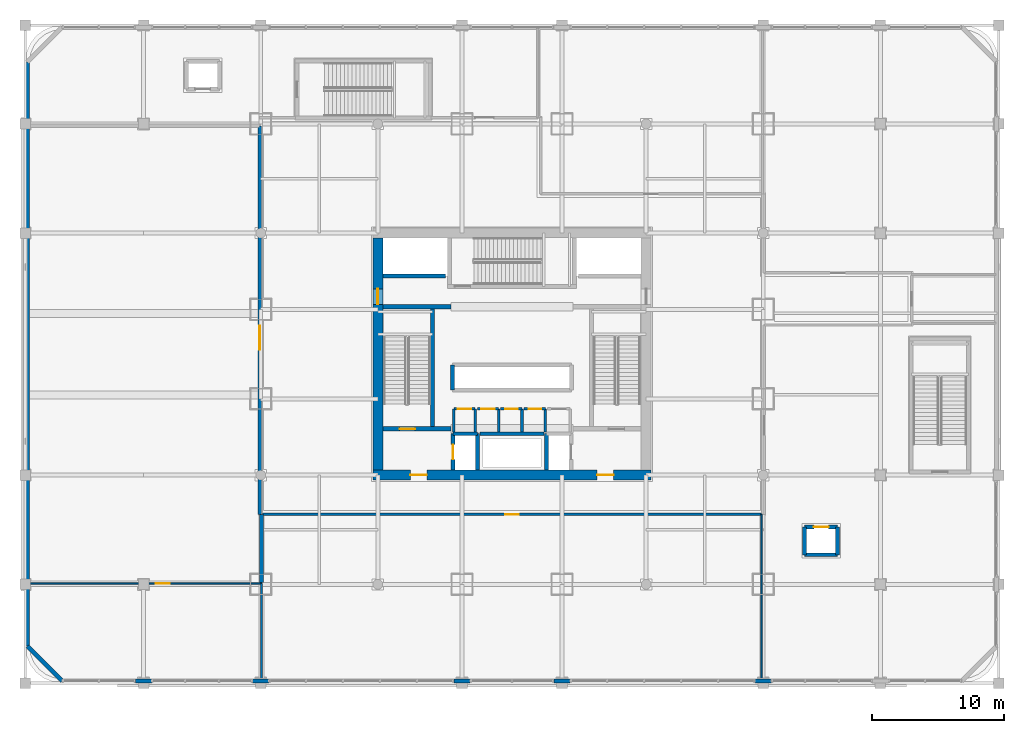
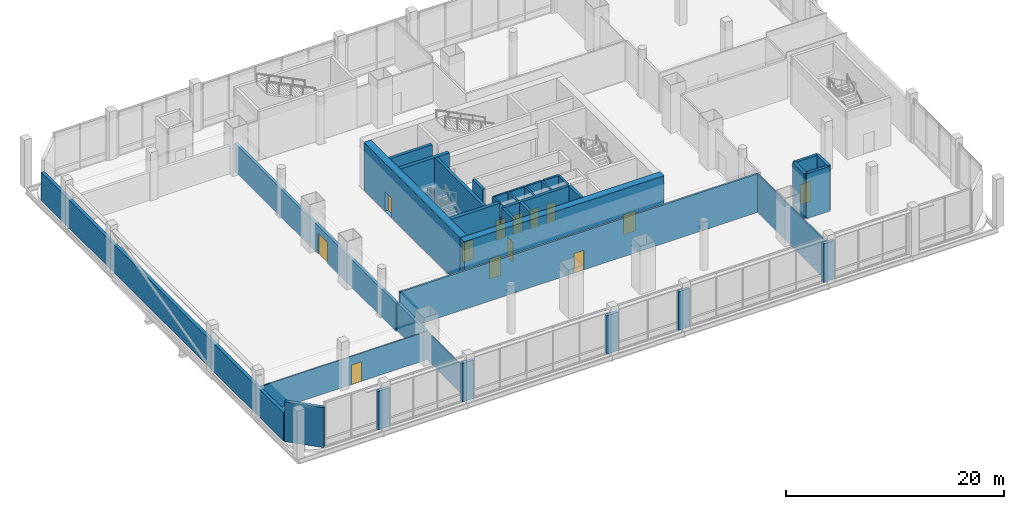
# One storey, part 23 of 35: 38 walls, 13 doors, 13 openings.
"""IFC4 building model written with IfcOpenShell, lengths in metres."""

from ifc_helpers import new_model, si_unit, direction, frame, frame_2d, origin, place, context, subcontext, project, spatial, rectangle, extrude, material, layer, layer_set, type_object, element, fill, save


model = new_model("IFC4")

# Units and contexts
model_context = context("Model", 3, precision=1e-05, world=origin(), true_north=direction((0.0, 1.0)))
body_context = subcontext(model_context, "Body", "Model", "MODEL_VIEW")
ifc_project = project(units=[si_unit("LENGTHUNIT", "METRE"), si_unit("AREAUNIT", "SQUARE_METRE"), si_unit("VOLUMEUNIT", "CUBIC_METRE"), si_unit("PLANEANGLEUNIT", "RADIAN"), si_unit("MASSUNIT", "GRAM", prefix="KILO")], contexts=[model_context])

# Site, building, storey
site_placement = place(None, origin())
site = spatial("IfcSite", under=ifc_project, at=site_placement, CompositionType="ELEMENT")
building_placement = place(site_placement, origin())
building = spatial("IfcBuilding", under=site, at=building_placement, Name="Punatoya Terracotta Tower", CompositionType="ELEMENT")
storey_placement = place(building_placement, frame((0.0, 0.0, 16.800048828125)))
storey = spatial("IfcBuildingStorey", under=building, at=storey_placement, Name="L03", CompositionType="ELEMENT", Elevation=16.800048828125)

# Wall, opening, door
ifc_material_1 = material(Name="Concrete C40/50", Category="concrete")
ifc_layer_1 = layer(ifc_material_1, 0.280029296875)
ifc_layer_set_1 = layer_set([ifc_layer_1], Name="Concrete C40/50")
wall_type_1 = type_object("IfcWallType", Name="WL-AUD-280", PredefinedType="SOLIDWALL", material=ifc_layer_set_1)
wall_1_placement = place(storey_placement, frame((-19.179931640625, 17.360107421875, 0.0), z_axis=(0.0, 0.0, 1.0), x_axis=(0.0, -1.0, 0.0)))
wall_1 = element("IfcWall", 1, at=wall_1_placement, inside=storey, type_object=wall_type_1, Name="L03 Column-Free 450-Seat Corporate Auditorium Partition 15", PredefinedType="SOLIDWALL", context=body_context, shape_type="SweptSolid", body=[
    extrude(rectangle(XDim=29.5400390625, YDim=0.280029296875, at=frame_2d((14.77001953125, 0.0))), origin(), (0.0, 0.0, 1.0), 3.1640625),
])
opening_1_placement = place(wall_1_placement, frame((15.219970703125, 0.0, 0.0)))
opening_1 = element("IfcOpeningElement", 2, at=opening_1_placement, cuts=wall_1, Name="Opening FD-A1", PredefinedType="OPENING", context=body_context, shape_type="SweptSolid", body=[
    extrude(rectangle(XDim=1.800048828125, YDim=2.35009765625, at=frame_2d((0.89990234375, 1.175048828125))), frame((0.0, 0.14990234375, 0.0), z_axis=(0.0, -1.0, 0.0), x_axis=(1.0, 0.0, 0.0)), (0.0, 0.0, 1.0), 0.300048828125),
])
ifc_material_2 = material(Name="Galvanised Steel Acoustic Fire Leaf", Category="steel")
door_type_1 = type_object("IfcDoorType", Name="DR-AUD-1800", OperationType="NOTDEFINED", PredefinedType="DOOR", material=ifc_material_2)
door_1_placement = place(opening_1_placement, origin())
door_1 = element("IfcDoor", 3, at=door_1_placement, inside=storey, type_object=door_type_1, Name="L03 Column-Free 450-Seat Corporate Auditorium Fire Door", OperationType="DOUBLE_DOOR_SINGLE_SWING", OverallHeight=2.35009765625, OverallWidth=1.800048828125, PredefinedType="DOOR", context=body_context, shape_type="SweptSolid", body=[
    extrude(rectangle(XDim=1.800048828125, YDim=2.35009765625, at=frame_2d((0.89990234375, 1.175048828125))), frame((0.0, 0.02490234375, 0.0), z_axis=(0.0, -1.0, 0.0), x_axis=(1.0, 0.0, 0.0)), (0.0, 0.0, 1.0), 0.050048828125),
])
fill(opening_1, door_1)

# Wall
wall_2_placement = place(storey_placement, frame((-19.0400390625, -12.179931640625, 0.0), z_axis=(0.0, 0.0, 1.0), x_axis=(0.0, -1.0, 0.0)))
element("IfcWall", 4, at=wall_2_placement, inside=storey, type_object=wall_type_1, Name="L03 Column-Free 450-Seat Corporate Auditorium Partition 16", PredefinedType="SOLIDWALL", context=body_context, shape_type="SweptSolid", body=[
    extrude(rectangle(XDim=5.18017578125, YDim=0.280029296875, at=frame_2d((2.590087890625, 0.0))), origin(), (0.0, 0.0, 1.0), 3.1640625),
])

# Wall, openings, doors
ifc_material_3 = material(Name="Concrete C60/75", Category="concrete")
ifc_layer_2 = layer(ifc_material_3, 0.75)
ifc_layer_set_2 = layer_set([ifc_layer_2], Name="Concrete C60/75")
wall_type_2 = type_object("IfcWallType", Name="WL-COR-750", PredefinedType="SHEAR", material=ifc_layer_set_2)
wall_3_placement = place(storey_placement, frame((10.574951171875, -9.199951171875, 0.0), z_axis=(0.0, 0.0, 1.0), x_axis=(-1.0, 0.0, 0.0)))
wall_3 = element("IfcWall", 5, at=wall_3_placement, inside=storey, type_object=wall_type_2, Name="L03 Core Shear Wall S", PredefinedType="SHEAR", context=body_context, shape_type="SweptSolid", body=[
    extrude(rectangle(XDim=21.14990234375, YDim=0.75, at=frame_2d((10.574951171875, 0.0))), origin(), (0.0, 0.0, 1.0), 5.39990234375),
])
opening_2_placement = place(wall_3_placement, frame((2.85009765625, 0.0, 0.0)))
opening_2 = element("IfcOpeningElement", 6, at=opening_2_placement, cuts=wall_3, Name="Opening FD-L1", PredefinedType="OPENING", context=body_context, shape_type="SweptSolid", body=[
    extrude(rectangle(XDim=1.25, YDim=2.25, at=frame_2d((0.625, 1.125))), frame((0.0, 0.385009765625, 0.0), z_axis=(0.0, -1.0, 0.0), x_axis=(1.0, 0.0, 0.0)), (0.0, 0.0, 1.0), 0.77001953125),
])
opening_3_placement = place(wall_3_placement, frame((17.050048828125, 0.0, 0.0)))
opening_3 = element("IfcOpeningElement", 7, at=opening_3_placement, cuts=wall_3, Name="Opening FD-L1", PredefinedType="OPENING", context=body_context, shape_type="SweptSolid", body=[
    extrude(rectangle(XDim=1.25, YDim=2.25, at=frame_2d((0.625, 1.125))), frame((0.0, 0.385009765625, 0.0), z_axis=(0.0, -1.0, 0.0), x_axis=(1.0, 0.0, 0.0)), (0.0, 0.0, 1.0), 0.77001953125),
])
ifc_material_4 = material(Name="Galvanised Steel Smokeproof Fire Door", Category="steel")
door_type_2 = type_object("IfcDoorType", Name="DR-FFL-1250", OperationType="NOTDEFINED", PredefinedType="DOOR", material=ifc_material_4)
door_2_placement = place(opening_2_placement, origin())
door_2 = element("IfcDoor", 8, at=door_2_placement, inside=storey, type_object=door_type_2, Name="L03 East Firefighting Lobby Corridor Fire Door", OperationType="SINGLE_SWING_LEFT", OverallHeight=2.25, OverallWidth=1.25, PredefinedType="DOOR", context=body_context, shape_type="SweptSolid", body=[
    extrude(rectangle(XDim=1.25, YDim=2.25, at=frame_2d((0.625, 1.125))), frame((0.0, 0.02490234375, 0.0), z_axis=(0.0, -1.0, 0.0), x_axis=(1.0, 0.0, 0.0)), (0.0, 0.0, 1.0), 0.050048828125),
])
fill(opening_2, door_2)
door_3_placement = place(opening_3_placement, origin())
door_3 = element("IfcDoor", 9, at=door_3_placement, inside=storey, type_object=door_type_2, Name="L03 West Firefighting Lobby Corridor Fire Door", OperationType="SINGLE_SWING_RIGHT", OverallHeight=2.25, OverallWidth=1.25, PredefinedType="DOOR", context=body_context, shape_type="SweptSolid", body=[
    extrude(rectangle(XDim=1.25, YDim=2.25, at=frame_2d((0.625, 1.125))), frame((0.0, 0.02490234375, 0.0), z_axis=(0.0, -1.0, 0.0), x_axis=(1.0, 0.0, 0.0)), (0.0, 0.0, 1.0), 0.050048828125),
])
fill(opening_3, door_3)

# Wall, opening, door
wall_4_placement = place(storey_placement, frame((-10.199951171875, -8.824951171875, 0.0), z_axis=(0.0, 0.0, 1.0), x_axis=(0.0, 1.0, 0.0)))
wall_4 = element("IfcWall", 10, at=wall_4_placement, inside=storey, type_object=wall_type_2, Name="L03 Core Shear Wall W", PredefinedType="SHEAR", context=body_context, shape_type="SweptSolid", body=[
    extrude(rectangle(XDim=17.64990234375, YDim=0.75, at=frame_2d((8.824951171875, 0.0))), origin(), (0.0, 0.0, 1.0), 5.39990234375),
])
opening_4_placement = place(wall_4_placement, frame((12.614990234375, 0.0, 0.0)))
opening_4 = element("IfcOpeningElement", 11, at=opening_4_placement, cuts=wall_4, Name="Opening SD-01", PredefinedType="OPENING", context=body_context, shape_type="SweptSolid", body=[
    extrude(rectangle(XDim=1.179931640625, YDim=2.199951171875, at=frame_2d((0.58984375, 1.10009765625))), frame((0.0, 0.385009765625, 0.0), z_axis=(0.0, -1.0, 0.0), x_axis=(1.0, 0.0, 0.0)), (0.0, 0.0, 1.0), 0.77001953125),
])
ifc_material_5 = material(Name="Galvanised Steel Pressurized Stair Fire Door", Category="steel")
door_type_3 = type_object("IfcDoorType", Name="DR-STR-1180", OperationType="NOTDEFINED", PredefinedType="DOOR", material=ifc_material_5)
door_4_placement = place(opening_4_placement, origin())
door_4 = element("IfcDoor", 12, at=door_4_placement, inside=storey, type_object=door_type_3, Name="L03 Central Lift Lobby West Fire Door", OperationType="SINGLE_SWING_LEFT", OverallHeight=2.199951171875, OverallWidth=1.179931640625, PredefinedType="DOOR", context=body_context, shape_type="SweptSolid", body=[
    extrude(rectangle(XDim=1.179931640625, YDim=2.199951171875, at=frame_2d((0.58984375, 1.10009765625))), frame((0.0, 0.02490234375, 0.0), z_axis=(0.0, -1.0, 0.0), x_axis=(1.0, 0.0, 0.0)), (0.0, 0.0, 1.0), 0.050048828125),
])
fill(opening_4, door_4)

ifc_material_6 = material(Name="Gypsum Fireboard + Steel Stud", Category="steel")
ifc_layer_3 = layer(ifc_material_6, 0.179931640625)
ifc_layer_set_3 = layer_set([ifc_layer_3], Name="Gypsum Fireboard + Steel Stud")
wall_type_3 = type_object("IfcWallType", Name="WL-CORR-180", PredefinedType="PARTITIONING", material=ifc_layer_set_3)
wall_5_placement = place(storey_placement, frame((-18.9599609375, -12.179931640625, 0.0), z_axis=(0.0, 0.0, 1.0), x_axis=(1.0, 0.0, 0.0)))
wall_5 = element("IfcWall", 13, at=wall_5_placement, inside=storey, type_object=wall_type_3, Name="L03 South Executive Directors' Office Suite Partition 20", PredefinedType="PARTITIONING", context=body_context, shape_type="SweptSolid", body=[
    extrude(rectangle(XDim=37.919921875, YDim=0.179931640625, at=frame_2d((18.9599609375, 0.0))), origin(), (0.0, 0.0, 1.0), 4.31396484375),
])
opening_5_placement = place(wall_5_placement, frame((18.43505859375, 0.0, 0.0)))
opening_5 = element("IfcOpeningElement", 14, at=opening_5_placement, cuts=wall_5, Name="Opening OD-01", PredefinedType="OPENING", context=body_context, shape_type="SweptSolid", body=[
    extrude(rectangle(XDim=1.050048828125, YDim=2.199951171875, at=frame_2d((0.52490234375, 1.10009765625))), frame((0.0, 0.099853515625, 0.0), z_axis=(0.0, -1.0, 0.0), x_axis=(1.0, 0.0, 0.0)), (0.0, 0.0, 1.0), 0.199951171875),
])
ifc_material_7 = material(Name="Bengal Teak Solid-Core Leaf")
door_type_4 = type_object("IfcDoorType", Name="DR-OFF-1050", OperationType="NOTDEFINED", PredefinedType="DOOR", material=ifc_material_7)
door_5_placement = place(opening_5_placement, origin())
door_5 = element("IfcDoor", 15, at=door_5_placement, inside=storey, type_object=door_type_4, Name="L03 South Executive Directors' Office Suite Door", OperationType="SINGLE_SWING_RIGHT", OverallHeight=2.199951171875, OverallWidth=1.050048828125, PredefinedType="DOOR", context=body_context, shape_type="SweptSolid", body=[
    extrude(rectangle(XDim=1.050048828125, YDim=2.199951171875, at=frame_2d((0.52490234375, 1.10009765625))), frame((0.0, 0.02490234375, 0.0), z_axis=(0.0, -1.0, 0.0), x_axis=(1.0, 0.0, 0.0)), (0.0, 0.0, 1.0), 0.050048828125),
])
fill(opening_5, door_5)

# Walls
ifc_material_8 = material(Name="Precast concrete C40/50", Category="concrete")
ifc_layer_4 = layer(ifc_material_8, 0.320068359375)
ifc_layer_set_4 = layer_set([ifc_layer_4], Name="Precast concrete C40/50")
wall_type_4 = type_object("IfcWallType", Name="WL-EXT-320", PredefinedType="SOLIDWALL", material=ifc_layer_set_4)
wall_6_placement = place(storey_placement, frame((-28.6201171875, -24.840087890625, 0.0), z_axis=(0.0, 0.0, 1.0), x_axis=(1.0, 0.0, 0.0)))
element("IfcWall", 16, at=wall_6_placement, inside=storey, type_object=wall_type_4, Name="L03 South Column Cladding Pier 1", PredefinedType="SOLIDWALL", context=body_context, shape_type="SweptSolid", body=[
    extrude(rectangle(XDim=1.240234375, YDim=0.320068359375, at=frame_2d((0.6201171875, 0.0))), origin(), (0.0, 0.0, 1.0), 4.31396484375),
])
for number, where, z_axis, x_axis, name in (
    (17, (-19.719970703125, -24.840087890625, 0.0), (0.0, 0.0, 1.0), (1.0, 0.0, 0.0), "L03 South Column Cladding Pier 2"),
    (18, (-4.419921875, -24.840087890625, 0.0), (0.0, 0.0, 1.0), (1.0, 0.0, 0.0), "L03 South Column Cladding Pier 3"),
    (19, (3.179931640625, -24.840087890625, 0.0), (0.0, 0.0, 1.0), (1.0, 0.0, 0.0), "L03 South Column Cladding Pier 4"),
    (20, (18.47998046875, -24.840087890625, 0.0), (0.0, 0.0, 1.0), (1.0, 0.0, 0.0), "L03 South Column Cladding Pier 5"),
):
    element("IfcWall", number, at=place(storey_placement, frame(where, z_axis=z_axis, x_axis=x_axis)), inside=storey, type_object=wall_type_4, Name=name, PredefinedType="SOLIDWALL", context=body_context, shape_type="SweptSolid", body=[
        extrude(rectangle(XDim=1.239990234375, YDim=0.320068359375, at=frame_2d((0.6201171875, 0.0))), origin(), (0.0, 0.0, 1.0), 4.31396484375),
    ])
wall_7_placement = place(storey_placement, frame((-36.840087890625, -22.199951171875, 0.0), z_axis=(0.0, 0.0, 1.0), x_axis=(0.0, 1.0, 0.0)))
element("IfcWall", 21, at=wall_7_placement, inside=storey, type_object=wall_type_4, Name="L03 Auditorium Acoustic Terracotta Envelope", PredefinedType="SOLIDWALL", context=body_context, shape_type="SweptSolid", body=[
    extrude(rectangle(XDim=44.39990234375, YDim=0.320068359375, at=frame_2d((22.199951171875, 0.0))), origin(), (0.0, 0.0, 1.0), 3.1640625),
])
wall_8_placement = place(storey_placement, frame((-34.199951171875, -24.840087890625, 0.0), z_axis=(0.0, 0.0, 1.0), x_axis=(-0.707106781187, 0.707106781187, 0.0)))
element("IfcWall", 22, at=wall_8_placement, inside=storey, type_object=wall_type_4, Name="L03 Terracotta Corner Pier 1", PredefinedType="SOLIDWALL", context=body_context, shape_type="SweptSolid", body=[
    extrude(rectangle(XDim=3.733642578125, YDim=0.320068359375, at=frame_2d((1.86669921875, 0.0))), origin(), (0.0, 0.0, 1.0), 4.4638671875),
])
ifc_layer_5 = layer(ifc_material_1, 0.199951171875)
ifc_layer_set_5 = layer_set([ifc_layer_5], Name="Concrete C40/50")
wall_type_5 = type_object("IfcWallType", Name="WL-INT-200", PredefinedType="SOLIDWALL", material=ifc_layer_set_5)
wall_9_placement = place(storey_placement, frame((-2.800048828125, -5.89990234375, 0.0), z_axis=(0.0, 0.0, 1.0), x_axis=(0.0, 1.0, 0.0)))
element("IfcWall", 23, at=wall_9_placement, inside=storey, type_object=wall_type_5, Name="L03 Core Tea Pantry Partition 01", PredefinedType="SOLIDWALL", context=body_context, shape_type="SweptSolid", body=[
    extrude(rectangle(XDim=1.739990234375, YDim=0.199951171875, at=frame_2d((0.8701171875, 0.0))), origin(), (0.0, 0.0, 1.0), 5.02001953125),
])

# Wall, opening, door
wall_10_placement = place(storey_placement, frame((-2.800048828125, -4.159912109375, 0.0), z_axis=(0.0, 0.0, 1.0), x_axis=(-1.0, 0.0, 0.0)))
wall_10 = element("IfcWall", 24, at=wall_10_placement, inside=storey, type_object=wall_type_5, Name="L03 Core Tea Pantry Partition 02", PredefinedType="SOLIDWALL", context=body_context, shape_type="SweptSolid", body=[
    extrude(rectangle(XDim=1.619873046875, YDim=0.199951171875, at=frame_2d((0.81005859375, 0.0))), origin(), (0.0, 0.0, 1.0), 5.02001953125),
])
opening_6_placement = place(wall_10_placement, frame((0.284912109375, 0.0, 0.0)))
opening_6 = element("IfcOpeningElement", 25, at=opening_6_placement, cuts=wall_10, Name="Opening OD-01", PredefinedType="OPENING", context=body_context, shape_type="SweptSolid", body=[
    extrude(rectangle(XDim=1.050048828125, YDim=2.199951171875, at=frame_2d((0.52490234375, 1.10009765625))), frame((0.0, 0.10986328125, 0.0), z_axis=(0.0, -1.0, 0.0), x_axis=(1.0, 0.0, 0.0)), (0.0, 0.0, 1.0), 0.219970703125),
])
door_6_placement = place(opening_6_placement, origin())
door_6 = element("IfcDoor", 26, at=door_6_placement, inside=storey, type_object=door_type_4, Name="L03 Tea Pantry Door", OperationType="SINGLE_SWING_RIGHT", OverallHeight=2.199951171875, OverallWidth=1.050048828125, PredefinedType="DOOR", context=body_context, shape_type="SweptSolid", body=[
    extrude(rectangle(XDim=1.050048828125, YDim=2.199951171875, at=frame_2d((0.52490234375, 1.10009765625))), frame((0.0, 0.02490234375, 0.0), z_axis=(0.0, -1.0, 0.0), x_axis=(1.0, 0.0, 0.0)), (0.0, 0.0, 1.0), 0.050048828125),
])
fill(opening_6, door_6)

# Walls
for number, where, z_axis, x_axis, name in (
    (27, (-4.419921875, -4.159912109375, 0.0), (0.0, 0.0, 1.0), (0.0, -1.0, 0.0), "L03 Core Tea Pantry Partition 03"),
    (28, (-1.02001953125, -5.89990234375, 0.0), (0.0, 0.0, 1.0), (0.0, 1.0, 0.0), "L03 Accessible Washroom Partition 04"),
):
    element("IfcWall", number, at=place(storey_placement, frame(where, z_axis=z_axis, x_axis=x_axis)), inside=storey, type_object=wall_type_5, Name=name, PredefinedType="SOLIDWALL", context=body_context, shape_type="SweptSolid", body=[
        extrude(rectangle(XDim=1.739990234375, YDim=0.199951171875, at=frame_2d((0.8701171875, 0.0))), origin(), (0.0, 0.0, 1.0), 5.02001953125),
    ])

# Wall, opening, door
wall_11_placement = place(storey_placement, frame((-1.02001953125, -4.159912109375, 0.0), z_axis=(0.0, 0.0, 1.0), x_axis=(-1.0, 0.0, 0.0)))
wall_11 = element("IfcWall", 29, at=wall_11_placement, inside=storey, type_object=wall_type_5, Name="L03 Accessible Washroom Partition 05", PredefinedType="SOLIDWALL", context=body_context, shape_type="SweptSolid", body=[
    extrude(rectangle(XDim=1.619873046875, YDim=0.199951171875, at=frame_2d((0.81005859375, 0.0))), origin(), (0.0, 0.0, 1.0), 5.02001953125),
])
opening_7_placement = place(wall_11_placement, frame((0.31005859375, 0.0, 0.0)))
opening_7 = element("IfcOpeningElement", 30, at=opening_7_placement, cuts=wall_11, Name="Opening AWD-1", PredefinedType="OPENING", context=body_context, shape_type="SweptSolid", body=[
    extrude(rectangle(XDim=1.0, YDim=2.14990234375, at=frame_2d((0.5, 1.074951171875))), frame((0.0, 0.10986328125, 0.0), z_axis=(0.0, -1.0, 0.0), x_axis=(1.0, 0.0, 0.0)), (0.0, 0.0, 1.0), 0.219970703125),
])
ifc_material_9 = material(Name="Bengal Teak Accessible WC Leaf")
door_type_5 = type_object("IfcDoorType", Name="DR-ACC-1000", OperationType="NOTDEFINED", PredefinedType="DOOR", material=ifc_material_9)
door_7_placement = place(opening_7_placement, origin())
door_7 = element("IfcDoor", 31, at=door_7_placement, inside=storey, type_object=door_type_5, Name="L03 Accessible Washroom Door", OperationType="SINGLE_SWING_LEFT", OverallHeight=2.14990234375, OverallWidth=1.0, PredefinedType="DOOR", context=body_context, shape_type="SweptSolid", body=[
    extrude(rectangle(XDim=1.0, YDim=2.14990234375, at=frame_2d((0.5, 1.074951171875))), frame((0.0, 0.02490234375, 0.0), z_axis=(0.0, -1.0, 0.0), x_axis=(1.0, 0.0, 0.0)), (0.0, 0.0, 1.0), 0.050048828125),
])
fill(opening_7, door_7)

# Wall
wall_12_placement = place(storey_placement, frame((0.760009765625, -5.89990234375, 0.0), z_axis=(0.0, 0.0, 1.0), x_axis=(0.0, 1.0, 0.0)))
element("IfcWall", 32, at=wall_12_placement, inside=storey, type_object=wall_type_5, Name="L03 Female Washroom Partition 06", PredefinedType="SOLIDWALL", context=body_context, shape_type="SweptSolid", body=[
    extrude(rectangle(XDim=1.739990234375, YDim=0.199951171875, at=frame_2d((0.8701171875, 0.0))), origin(), (0.0, 0.0, 1.0), 5.02001953125),
])

# Wall, opening, door
wall_13_placement = place(storey_placement, frame((0.760009765625, -4.159912109375, 0.0), z_axis=(0.0, 0.0, 1.0), x_axis=(-1.0, 0.0, 0.0)))
wall_13 = element("IfcWall", 33, at=wall_13_placement, inside=storey, type_object=wall_type_5, Name="L03 Female Washroom Partition 07", PredefinedType="SOLIDWALL", context=body_context, shape_type="SweptSolid", body=[
    extrude(rectangle(XDim=1.6201171875, YDim=0.199951171875, at=frame_2d((0.81005859375, 0.0))), origin(), (0.0, 0.0, 1.0), 5.02001953125),
])
opening_8_placement = place(wall_13_placement, frame((0.3349609375, 0.0, 0.0)))
opening_8 = element("IfcOpeningElement", 34, at=opening_8_placement, cuts=wall_13, Name="Opening WD-01", PredefinedType="OPENING", context=body_context, shape_type="SweptSolid", body=[
    extrude(rectangle(XDim=0.949951171875, YDim=2.14990234375, at=frame_2d((0.47509765625, 1.074951171875))), frame((0.0, 0.10986328125, 0.0), z_axis=(0.0, -1.0, 0.0), x_axis=(1.0, 0.0, 0.0)), (0.0, 0.0, 1.0), 0.219970703125),
])
ifc_material_10 = material(Name="Moisture-Resistant Laminate Timber Leaf", Category="wood")
door_type_6 = type_object("IfcDoorType", Name="DR-WC-950", OperationType="NOTDEFINED", PredefinedType="DOOR", material=ifc_material_10)
door_8_placement = place(opening_8_placement, origin())
door_8 = element("IfcDoor", 35, at=door_8_placement, inside=storey, type_object=door_type_6, Name="L03 Female Washroom Door", OperationType="SINGLE_SWING_RIGHT", OverallHeight=2.14990234375, OverallWidth=0.949951171875, PredefinedType="DOOR", context=body_context, shape_type="SweptSolid", body=[
    extrude(rectangle(XDim=0.949951171875, YDim=2.14990234375, at=frame_2d((0.47509765625, 1.074951171875))), frame((0.0, 0.02490234375, 0.0), z_axis=(0.0, -1.0, 0.0), x_axis=(1.0, 0.0, 0.0)), (0.0, 0.0, 1.0), 0.050048828125),
])
fill(opening_8, door_8)

# Wall
wall_14_placement = place(storey_placement, frame((2.5400390625, -5.89990234375, 0.0), z_axis=(0.0, 0.0, 1.0), x_axis=(0.0, 1.0, 0.0)))
element("IfcWall", 36, at=wall_14_placement, inside=storey, type_object=wall_type_5, Name="L03 Male Washroom Partition 08", PredefinedType="SOLIDWALL", context=body_context, shape_type="SweptSolid", body=[
    extrude(rectangle(XDim=1.739990234375, YDim=0.199951171875, at=frame_2d((0.8701171875, 0.0))), origin(), (0.0, 0.0, 1.0), 5.02001953125),
])

# Wall, opening, door
wall_15_placement = place(storey_placement, frame((2.5400390625, -4.159912109375, 0.0), z_axis=(0.0, 0.0, 1.0), x_axis=(-1.0, 0.0, 0.0)))
wall_15 = element("IfcWall", 37, at=wall_15_placement, inside=storey, type_object=wall_type_5, Name="L03 Male Washroom Partition 09", PredefinedType="SOLIDWALL", context=body_context, shape_type="SweptSolid", body=[
    extrude(rectangle(XDim=1.6201171875, YDim=0.199951171875, at=frame_2d((0.81005859375, 0.0))), origin(), (0.0, 0.0, 1.0), 5.02001953125),
])
opening_9_placement = place(wall_15_placement, frame((0.3349609375, 0.0, 0.0)))
opening_9 = element("IfcOpeningElement", 38, at=opening_9_placement, cuts=wall_15, Name="Opening WD-01", PredefinedType="OPENING", context=body_context, shape_type="SweptSolid", body=[
    extrude(rectangle(XDim=0.949951171875, YDim=2.14990234375, at=frame_2d((0.47509765625, 1.074951171875))), frame((0.0, 0.10986328125, 0.0), z_axis=(0.0, -1.0, 0.0), x_axis=(1.0, 0.0, 0.0)), (0.0, 0.0, 1.0), 0.219970703125),
])
door_9_placement = place(opening_9_placement, origin())
door_9 = element("IfcDoor", 39, at=door_9_placement, inside=storey, type_object=door_type_6, Name="L03 Male Washroom Door", OperationType="SINGLE_SWING_LEFT", OverallHeight=2.14990234375, OverallWidth=0.949951171875, PredefinedType="DOOR", context=body_context, shape_type="SweptSolid", body=[
    extrude(rectangle(XDim=0.949951171875, YDim=2.14990234375, at=frame_2d((0.47509765625, 1.074951171875))), frame((0.0, 0.02490234375, 0.0), z_axis=(0.0, -1.0, 0.0), x_axis=(1.0, 0.0, 0.0)), (0.0, 0.0, 1.0), 0.050048828125),
])
fill(opening_9, door_9)

ifc_material_11 = material(Name="Gypsum Partition + Steel Stud", Category="steel")
ifc_layer_6 = layer(ifc_material_11, 0.1201171875)
ifc_layer_set_6 = layer_set([ifc_layer_6], Name="Gypsum Partition + Steel Stud")
wall_type_6 = type_object("IfcWallType", Name="WL-OFF-120", PredefinedType="PARTITIONING", material=ifc_layer_set_6)
wall_16_placement = place(storey_placement, frame((-36.780029296875, -17.43994140625, 0.0), z_axis=(0.0, 0.0, 1.0), x_axis=(1.0, 0.0, 0.0)))
wall_16 = element("IfcWall", 40, at=wall_16_placement, inside=storey, type_object=wall_type_6, Name="L03 South-West Projection and Acoustic Control Room Partition 12", PredefinedType="PARTITIONING", context=body_context, shape_type="SweptSolid", body=[
    extrude(rectangle(XDim=17.739990234375, YDim=0.1201171875, at=frame_2d((8.8701171875, 0.0))), origin(), (0.0, 0.0, 1.0), 3.1640625),
])
opening_10_placement = place(wall_16_placement, frame((9.695068359375, 0.0, 0.0)))
opening_10 = element("IfcOpeningElement", 41, at=opening_10_placement, cuts=wall_16, Name="Opening OD-01", PredefinedType="OPENING", context=body_context, shape_type="SweptSolid", body=[
    extrude(rectangle(XDim=1.050048828125, YDim=2.199951171875, at=frame_2d((0.52490234375, 1.10009765625))), frame((0.0, 0.070068359375, 0.0), z_axis=(0.0, -1.0, 0.0), x_axis=(1.0, 0.0, 0.0)), (0.0, 0.0, 1.0), 0.14013671875),
])
door_10_placement = place(opening_10_placement, origin())
door_10 = element("IfcDoor", 42, at=door_10_placement, inside=storey, type_object=door_type_4, Name="L03 South-West Projection and Acoustic Control Room Door", OperationType="SINGLE_SWING_LEFT", OverallHeight=2.199951171875, OverallWidth=1.050048828125, PredefinedType="DOOR", context=body_context, shape_type="SweptSolid", body=[
    extrude(rectangle(XDim=1.050048828125, YDim=2.199951171875, at=frame_2d((0.52490234375, 1.10009765625))), frame((0.0, 0.02490234375, 0.0), z_axis=(0.0, -1.0, 0.0), x_axis=(1.0, 0.0, 0.0)), (0.0, 0.0, 1.0), 0.050048828125),
])
fill(opening_10, door_10)

# Walls
wall_17_placement = place(storey_placement, frame((-19.0400390625, -17.43994140625, 0.0), z_axis=(0.0, 0.0, 1.0), x_axis=(0.0, -1.0, 0.0)))
element("IfcWall", 43, at=wall_17_placement, inside=storey, type_object=wall_type_6, Name="L03 South-West Projection and Acoustic Control Room Partition 13", PredefinedType="PARTITIONING", context=body_context, shape_type="SweptSolid", body=[
    extrude(rectangle(XDim=7.340087890625, YDim=0.1201171875, at=frame_2d((3.669921875, 0.0))), origin(), (0.0, 0.0, 1.0), 3.1640625),
])
wall_18_placement = place(storey_placement, frame((18.9599609375, -12.179931640625, 0.0), z_axis=(0.0, 0.0, 1.0), x_axis=(0.0, -1.0, 0.0)))
element("IfcWall", 44, at=wall_18_placement, inside=storey, type_object=wall_type_6, Name="L03 South Executive Directors' Office Suite Partition 21", PredefinedType="PARTITIONING", context=body_context, shape_type="SweptSolid", body=[
    extrude(rectangle(XDim=12.60009765625, YDim=0.1201171875, at=frame_2d((6.300048828125, 0.0))), origin(), (0.0, 0.0, 1.0), 4.31396484375),
])
ifc_layer_7 = layer(ifc_material_1, 0.300048828125)
ifc_layer_set_7 = layer_set([ifc_layer_7], Name="Concrete C40/50")
wall_type_7 = type_object("IfcWallType", Name="WL-SHF-300", PredefinedType="SOLIDWALL", material=ifc_layer_set_7)
wall_19_placement = place(storey_placement, frame((-6.050048828125, -5.5, 0.0), z_axis=(0.0, 0.0, 1.0), x_axis=(0.0, 1.0, 0.0)))
element("IfcWall", 45, at=wall_19_placement, inside=storey, type_object=wall_type_7, Name="L03 Structural Stair Shaft Wall SW-ST1-E", PredefinedType="SOLIDWALL", context=body_context, shape_type="SweptSolid", body=[
    extrude(rectangle(XDim=8.949951171875, YDim=0.300048828125, at=frame_2d((4.47509765625, 0.0))), origin(), (0.0, 0.0, 1.0), 5.39990234375),
])

# Wall, opening, door
wall_20_placement = place(storey_placement, frame((-4.489990234375, -8.820068359375, 0.0), z_axis=(0.0, 0.0, 1.0), x_axis=(0.0, 1.0, 0.0)))
wall_20 = element("IfcWall", 46, at=wall_20_placement, inside=storey, type_object=wall_type_7, Name="L03 FFL-1 Front Hoistway Wall", PredefinedType="SOLIDWALL", context=body_context, shape_type="SweptSolid", body=[
    extrude(rectangle(XDim=2.77001953125, YDim=0.300048828125, at=frame_2d((1.385009765625, 0.0))), origin(), (0.0, 0.0, 1.0), 5.02001953125),
])
opening_11_placement = place(wall_20_placement, frame((0.824951171875, 0.0, 0.0)))
opening_11 = element("IfcOpeningElement", 47, at=opening_11_placement, cuts=wall_20, Name="Opening LD-02", PredefinedType="OPENING", context=body_context, shape_type="SweptSolid", body=[
    extrude(rectangle(XDim=1.1201171875, YDim=2.25, at=frame_2d((0.56005859375, 1.125))), frame((0.0, 0.159912109375, 0.0), z_axis=(0.0, -1.0, 0.0), x_axis=(1.0, 0.0, 0.0)), (0.0, 0.0, 1.0), 0.320068359375),
])
ifc_material_12 = material(Name="Stainless Steel Lift Landing Door", Category="steel")
door_type_7 = type_object("IfcDoorType", Name="DR-LND-1120", OperationType="NOTDEFINED", PredefinedType="DOOR", material=ifc_material_12)
door_11_placement = place(opening_11_placement, origin())
door_11 = element("IfcDoor", 48, at=door_11_placement, inside=storey, type_object=door_type_7, Name="L03 Firefighting Lift FFL-1 Sliding Landing Door", OperationType="SLIDING_TO_LEFT", OverallHeight=2.25, OverallWidth=1.1201171875, PredefinedType="DOOR", context=body_context, shape_type="SweptSolid", body=[
    extrude(rectangle(XDim=1.1201171875, YDim=2.25, at=frame_2d((0.56005859375, 1.125))), frame((0.0, 0.02490234375, 0.0), z_axis=(0.0, -1.0, 0.0), x_axis=(1.0, 0.0, 0.0)), (0.0, 0.0, 1.0), 0.050048828125),
])
fill(opening_11, door_11)

# Walls
wall_21_placement = place(storey_placement, frame((-2.610107421875, -8.820068359375, 0.0), z_axis=(0.0, 0.0, 1.0), x_axis=(0.0, 1.0, 0.0)))
element("IfcWall", 49, at=wall_21_placement, inside=storey, type_object=wall_type_7, Name="L03 FFL-1 Rear Hoistway Wall", PredefinedType="SOLIDWALL", context=body_context, shape_type="SweptSolid", body=[
    extrude(rectangle(XDim=2.77001953125, YDim=0.300048828125, at=frame_2d((1.385009765625, 0.0))), origin(), (0.0, 0.0, 1.0), 5.02001953125),
])
wall_22_placement = place(storey_placement, frame((-4.489990234375, -6.050048828125, 0.0), z_axis=(0.0, 0.0, 1.0), x_axis=(1.0, 0.0, 0.0)))
element("IfcWall", 50, at=wall_22_placement, inside=storey, type_object=wall_type_7, Name="L03 FFL-1 North Hoistway Wall", PredefinedType="SOLIDWALL", context=body_context, shape_type="SweptSolid", body=[
    extrude(rectangle(XDim=1.8798828125, YDim=0.300048828125, at=frame_2d((0.93994140625, 0.0))), origin(), (0.0, 0.0, 1.0), 5.02001953125),
])
wall_23_placement = place(storey_placement, frame((2.610107421875, -8.820068359375, 0.0), z_axis=(0.0, 0.0, 1.0), x_axis=(0.0, 1.0, 0.0)))
element("IfcWall", 51, at=wall_23_placement, inside=storey, type_object=wall_type_7, Name="L03 FFL-2 Rear Hoistway Wall", PredefinedType="SOLIDWALL", context=body_context, shape_type="SweptSolid", body=[
    extrude(rectangle(XDim=2.77001953125, YDim=0.300048828125, at=frame_2d((1.385009765625, 0.0))), origin(), (0.0, 0.0, 1.0), 5.02001953125),
])
wall_24_placement = place(storey_placement, frame((-4.52001953125, -2.719970703125, 0.0), z_axis=(0.0, 0.0, 1.0), x_axis=(0.0, 1.0, 0.0)))
element("IfcWall", 52, at=wall_24_placement, inside=storey, type_object=wall_type_7, Name="L03 South Lift Bank West End Wall", PredefinedType="SOLIDWALL", context=body_context, shape_type="SweptSolid", body=[
    extrude(rectangle(XDim=1.8798828125, YDim=0.300048828125, at=frame_2d((0.93994140625, 0.0))), origin(), (0.0, 0.0, 1.0), 5.02001953125),
])
wall_25_placement = place(storey_placement, frame((-9.820068359375, 5.949951171875, 0.0), z_axis=(0.0, 0.0, 1.0), x_axis=(1.0, 0.0, 0.0)))
element("IfcWall", 53, at=wall_25_placement, inside=storey, type_object=wall_type_7, Name="L03 Shuttle SL-1 South Hoistway Wall", PredefinedType="SOLIDWALL", context=body_context, shape_type="SweptSolid", body=[
    extrude(rectangle(XDim=4.760009765625, YDim=0.300048828125, at=frame_2d((2.3798828125, 0.0))), origin(), (0.0, 0.0, 1.0), 5.02001953125),
])
wall_26_placement = place(storey_placement, frame((-2.449951171875, -6.050048828125, 0.0), z_axis=(0.0, 0.0, 1.0), x_axis=(1.0, 0.0, 0.0)))
element("IfcWall", 54, at=wall_26_placement, inside=storey, type_object=wall_type_7, Name="L03 Observation Shuttle Rear Hoistway Wall", PredefinedType="SOLIDWALL", context=body_context, shape_type="SweptSolid", body=[
    extrude(rectangle(XDim=4.89990234375, YDim=0.300048828125, at=frame_2d((2.449951171875, 0.0))), origin(), (0.0, 0.0, 1.0), 5.02001953125),
])

# Wall, opening, door
wall_27_placement = place(storey_placement, frame((22.25, -13.14990234375, 0.0), z_axis=(0.0, 0.0, 1.0), x_axis=(1.0, 0.0, 0.0)))
wall_27 = element("IfcWall", 55, at=wall_27_placement, inside=storey, type_object=wall_type_7, Name="L03 Podium Lift PL-P2 Front Wall", PredefinedType="SOLIDWALL", context=body_context, shape_type="SweptSolid", body=[
    extrude(rectangle(XDim=2.5, YDim=0.300048828125, at=frame_2d((1.25, 0.0))), origin(), (0.0, 0.0, 1.0), 5.02001953125),
])
opening_12_placement = place(wall_27_placement, frame((0.68994140625, 0.0, 0.0)))
opening_12 = element("IfcOpeningElement", 56, at=opening_12_placement, cuts=wall_27, Name="Opening LD-02", PredefinedType="OPENING", context=body_context, shape_type="SweptSolid", body=[
    extrude(rectangle(XDim=1.1201171875, YDim=2.25, at=frame_2d((0.56005859375, 1.125))), frame((0.0, 0.159912109375, 0.0), z_axis=(0.0, -1.0, 0.0), x_axis=(1.0, 0.0, 0.0)), (0.0, 0.0, 1.0), 0.320068359375),
])
door_12_placement = place(opening_12_placement, origin())
door_12 = element("IfcDoor", 57, at=door_12_placement, inside=storey, type_object=door_type_7, Name="L03 Podium Lift PL-P2 Sliding Landing Door", OperationType="DOUBLE_DOOR_SLIDING", OverallHeight=2.25, OverallWidth=1.1201171875, PredefinedType="DOOR", context=body_context, shape_type="SweptSolid", body=[
    extrude(rectangle(XDim=1.1201171875, YDim=2.25, at=frame_2d((0.56005859375, 1.125))), frame((0.0, 0.02490234375, 0.0), z_axis=(0.0, -1.0, 0.0), x_axis=(1.0, 0.0, 0.0)), (0.0, 0.0, 1.0), 0.050048828125),
])
fill(opening_12, door_12)

# Walls
wall_28_placement = place(storey_placement, frame((22.25, -15.25, 0.0), z_axis=(0.0, 0.0, 1.0), x_axis=(1.0, 0.0, 0.0)))
element("IfcWall", 58, at=wall_28_placement, inside=storey, type_object=wall_type_7, Name="L03 Podium Lift PL-P2 Rear Wall", PredefinedType="SOLIDWALL", context=body_context, shape_type="SweptSolid", body=[
    extrude(rectangle(XDim=2.5, YDim=0.300048828125, at=frame_2d((1.25, 0.0))), origin(), (0.0, 0.0, 1.0), 5.02001953125),
])
for number, where, z_axis, x_axis, name in (
    (59, (22.25, -15.25, 0.0), (0.0, 0.0, 1.0), (0.0, 1.0, 0.0), "L03 Podium Lift PL-P2 West Wall"),
    (60, (24.75, -15.25, 0.0), (0.0, 0.0, 1.0), (0.0, 1.0, 0.0), "L03 Podium Lift PL-P2 East Wall"),
):
    element("IfcWall", number, at=place(storey_placement, frame(where, z_axis=z_axis, x_axis=x_axis)), inside=storey, type_object=wall_type_7, Name=name, PredefinedType="SOLIDWALL", context=body_context, shape_type="SweptSolid", body=[
        extrude(rectangle(XDim=2.10009765625, YDim=0.300048828125, at=frame_2d((1.050048828125, 0.0))), origin(), (0.0, 0.0, 1.0), 5.02001953125),
    ])

# Wall, opening, door
ifc_material_13 = material(Name="Concrete C50/60", Category="concrete")
ifc_layer_8 = layer(ifc_material_13, 0.35009765625)
ifc_layer_set_8 = layer_set([ifc_layer_8], Name="Concrete C50/60")
wall_type_8 = type_object("IfcWallType", Name="WL-SHF-350", PredefinedType="SOLIDWALL", material=ifc_layer_set_8)
wall_29_placement = place(storey_placement, frame((-9.824951171875, -5.679931640625, 0.0), z_axis=(0.0, 0.0, 1.0), x_axis=(1.0, 0.0, 0.0)))
wall_29 = element("IfcWall", 61, at=wall_29_placement, inside=storey, type_object=wall_type_8, Name="L03 Core Web Wall CSW-L", PredefinedType="SOLIDWALL", context=body_context, shape_type="SweptSolid", body=[
    extrude(rectangle(XDim=5.175048828125, YDim=0.35009765625, at=frame_2d((2.58740234375, 0.0))), origin(), (0.0, 0.0, 1.0), 5.39990234375),
])
opening_13_placement = place(wall_29_placement, frame((1.284912109375, 0.0, 0.0)))
opening_13 = element("IfcOpeningElement", 62, at=opening_13_placement, cuts=wall_29, Name="Opening SD-01", PredefinedType="OPENING", context=body_context, shape_type="SweptSolid", body=[
    extrude(rectangle(XDim=1.179931640625, YDim=2.199951171875, at=frame_2d((0.58984375, 1.10009765625))), frame((0.0, 0.18505859375, 0.0), z_axis=(0.0, -1.0, 0.0), x_axis=(1.0, 0.0, 0.0)), (0.0, 0.0, 1.0), 0.3701171875),
])
door_13_placement = place(opening_13_placement, origin())
door_13 = element("IfcDoor", 63, at=door_13_placement, inside=storey, type_object=door_type_3, Name="L03 Stair ST-1 Smokeproof Lobby Fire Door", OperationType="SINGLE_SWING_LEFT", OverallHeight=2.199951171875, OverallWidth=1.179931640625, PredefinedType="DOOR", context=body_context, shape_type="SweptSolid", body=[
    extrude(rectangle(XDim=1.179931640625, YDim=2.199951171875, at=frame_2d((0.58984375, 1.10009765625))), frame((0.0, 0.02490234375, 0.0), z_axis=(0.0, -1.0, 0.0), x_axis=(1.0, 0.0, 0.0)), (0.0, 0.0, 1.0), 0.050048828125),
])
fill(opening_13, door_13)

# Wall
wall_30_placement = place(storey_placement, frame((-9.824951171875, 3.60009765625, 0.0), z_axis=(0.0, 0.0, 1.0), x_axis=(1.0, 0.0, 0.0)))
element("IfcWall", 64, at=wall_30_placement, inside=storey, type_object=wall_type_8, Name="L03 Core Web Wall CNW-L", PredefinedType="SOLIDWALL", context=body_context, shape_type="SweptSolid", body=[
    extrude(rectangle(XDim=5.175048828125, YDim=0.35009765625, at=frame_2d((2.58740234375, 0.0))), origin(), (0.0, 0.0, 1.0), 5.39990234375),
])

save(model, "model.ifc")
